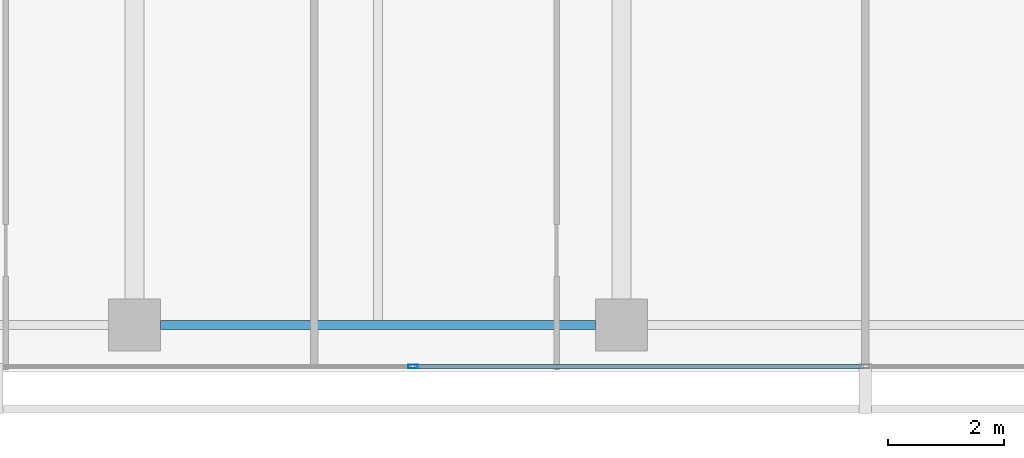
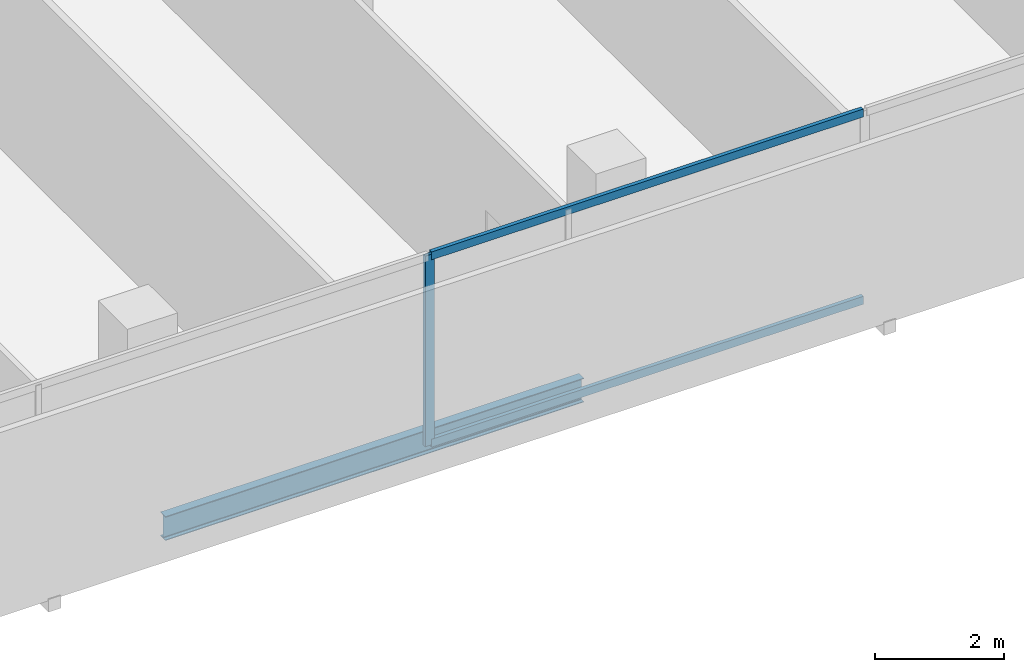
# One storey, part 7 of 40: 3 members, 1 beam, 1 element without a shape of its own.
"""IFC4 building model written with IfcOpenShell, lengths in metres."""

from ifc_helpers import new_model, si_unit, direction, frame, origin, origin_2d, place, context, subcontext, project, spatial, hollow_rectangle, i_section, extrude, material, layer, layer_set, material_profile, profile_set, type_object, element, aggregate, save


model = new_model("IFC4")

# Units and contexts
model_context = context("Model", 3, precision=1e-05, world=origin(), true_north=direction((0.0, 1.0)))
body_context = subcontext(model_context, "Body", "Model", "MODEL_VIEW")
ifc_project = project(units=[si_unit("LENGTHUNIT", "METRE"), si_unit("AREAUNIT", "SQUARE_METRE"), si_unit("VOLUMEUNIT", "CUBIC_METRE"), si_unit("PLANEANGLEUNIT", "RADIAN"), si_unit("MASSUNIT", "GRAM", prefix="KILO")], contexts=[model_context])

# Site, building, storey
site_placement = place(None, origin())
site = spatial("IfcSite", under=ifc_project, at=site_placement, CompositionType="ELEMENT")
building_placement = place(site_placement, origin())
building = spatial("IfcBuilding", under=site, at=building_placement, Name="Maruvema Waterfront Hotel and Observation Tower", CompositionType="ELEMENT")
storey_placement = place(building_placement, frame((0.0, 0.0, 107.800048828125)))
storey = spatial("IfcBuildingStorey", under=building, at=storey_placement, Name="L26", CompositionType="ELEMENT", Elevation=107.800048828125)

# Curtain wall, members
ifc_material_1 = material(Name="Anodised bronze aluminium and solar-control low-E IGU", Category="aluminium")
ifc_layer = layer(ifc_material_1, 0.159912109375, Name="Zone 1 Bronze Inner Thermal Curtain Wall System CW-02")
ifc_layer_set = layer_set([ifc_layer], Name="Anodised bronze aluminium and solar-control low-E IGU")
curtain_wall_type = type_object("IfcCurtainWallType", Name="Zone 1 Bronze Inner Thermal Curtain Wall System CW-02", PredefinedType="USERDEFINED", material=ifc_layer_set)
curtain_wall_placement = place(storey_placement, origin())
curtain_wall = element("IfcCurtainWall", 1, at=curtain_wall_placement, inside=storey, type_object=curtain_wall_type, Name="L26 Curtain Wall CW-L26-S", ObjectType="UNITISED CURTAIN WALL", PredefinedType="USERDEFINED")
ifc_material_2 = material(Name="Anodised architectural bronze aluminium", Category="aluminium")
ifc_material_profile_1 = material_profile(ifc_material_2, hollow_rectangle(XDim=0.070068359375, YDim=0.14990234375, WallThickness=0.00390625, at=origin_2d()), Name="ALU-T70x150")
ifc_profile_set_1 = profile_set([ifc_material_profile_1], Name="Anodised architectural bronze aluminium")
member_type_1 = type_object("IfcMemberType", Name="Curtain Wall Horizontal Transom ALU-T70x150", PredefinedType="USERDEFINED", material=ifc_profile_set_1)
member_1_placement = place(storey_placement, frame((30.030029296875, 0.080078125, 0.030029296875), z_axis=(1.0, 0.0, 0.0), x_axis=(0.0, 1.0, 0.0)))
member_1 = element("IfcMember", 2, at=member_1_placement, type_object=member_type_1, Name="CW-02 transom 3.1", ObjectType="TRANSOM", PredefinedType="USERDEFINED", context=body_context, shape_type="SweptSolid", body=[
    extrude(hollow_rectangle(XDim=0.070068359375, YDim=0.14990234375, WallThickness=0.00390625, at=origin_2d()), origin(), (0.0, 0.0, 1.0), 7.739990234375),
])
member_2_placement = place(storey_placement, frame((30.030029296875, 0.080078125, 3.579833984375), z_axis=(1.0, 0.0, 0.0), x_axis=(0.0, 1.0, 0.0)))
member_2 = element("IfcMember", 3, at=member_2_placement, type_object=member_type_1, Name="CW-02 transom 3.2", ObjectType="TRANSOM", PredefinedType="USERDEFINED", context=body_context, shape_type="SweptSolid", body=[
    extrude(hollow_rectangle(XDim=0.070068359375, YDim=0.14990234375, WallThickness=0.00390625, at=origin_2d()), origin(), (0.0, 0.0, 1.0), 7.739990234375),
])
ifc_material_3 = material(Name="Anodised architectural bronze aluminium", Category="aluminium")
ifc_material_profile_2 = material_profile(ifc_material_3, hollow_rectangle(XDim=0.06494140625, YDim=0.1650390625, WallThickness=0.00390625, at=origin_2d()), Name="ALU-M65x165")
ifc_profile_set_2 = profile_set([ifc_material_profile_2], Name="Anodised architectural bronze aluminium")
member_type_2 = type_object("IfcMemberType", Name="Curtain Wall Primary Mullion ALU-M65x165", PredefinedType="MULLION", material=ifc_profile_set_2)
member_3_placement = place(storey_placement, frame((30.0, 0.080078125, 0.0), z_axis=(0.0, 0.0, 1.0), x_axis=(0.0, 1.0, 0.0)))
member_3 = element("IfcMember", 4, at=member_3_placement, type_object=member_type_2, Name="CW-02 mullion 3", PredefinedType="MULLION", context=body_context, shape_type="SweptSolid", body=[
    extrude(hollow_rectangle(XDim=0.06494140625, YDim=0.1650390625, WallThickness=0.00390625, at=origin_2d()), origin(), (0.0, 0.0, 1.0), 3.60986328125),
])
aggregate(curtain_wall, [member_3, member_1, member_2])

# Beam
ifc_material_4 = material(Name="Steel ASTM A572 Grade 50", Category="steel")
ifc_material_profile_3 = material_profile(ifc_material_4, i_section(OverallWidth=0.153076171875, OverallDepth=0.455078125, WebThickness=0.008056640625, FlangeThickness=0.01318359375, FilletRadius=0.014892578125, at=origin_2d()), Name="W460x60.0")
ifc_profile_set_3 = profile_set([ifc_material_profile_3], Name="Steel ASTM A572 Grade 50")
beam_type = type_object("IfcBeamType", Name="Perimeter Spandrel Beam W460x60.0", PredefinedType="SPANDREL", material=ifc_profile_set_3)
beam_placement = place(storey_placement, frame((25.64990234375, 0.800048828125, -0.467529296875), z_axis=(1.0, 0.0, 0.0), x_axis=(0.0, 1.0, 0.0)))
element("IfcBeam", 5, at=beam_placement, inside=storey, type_object=beam_type, Name="L26 Floor Girder EW-02", PredefinedType="SPANDREL", context=body_context, shape_type="SweptSolid", body=[
    extrude(i_section(OverallWidth=0.153076171875, OverallDepth=0.455078125, WebThickness=0.008056640625, FlangeThickness=0.01318359375, FilletRadius=0.014892578125, at=origin_2d()), origin(), (0.0, 0.0, 1.0), 7.5),
])

save(model, "model.ifc")
